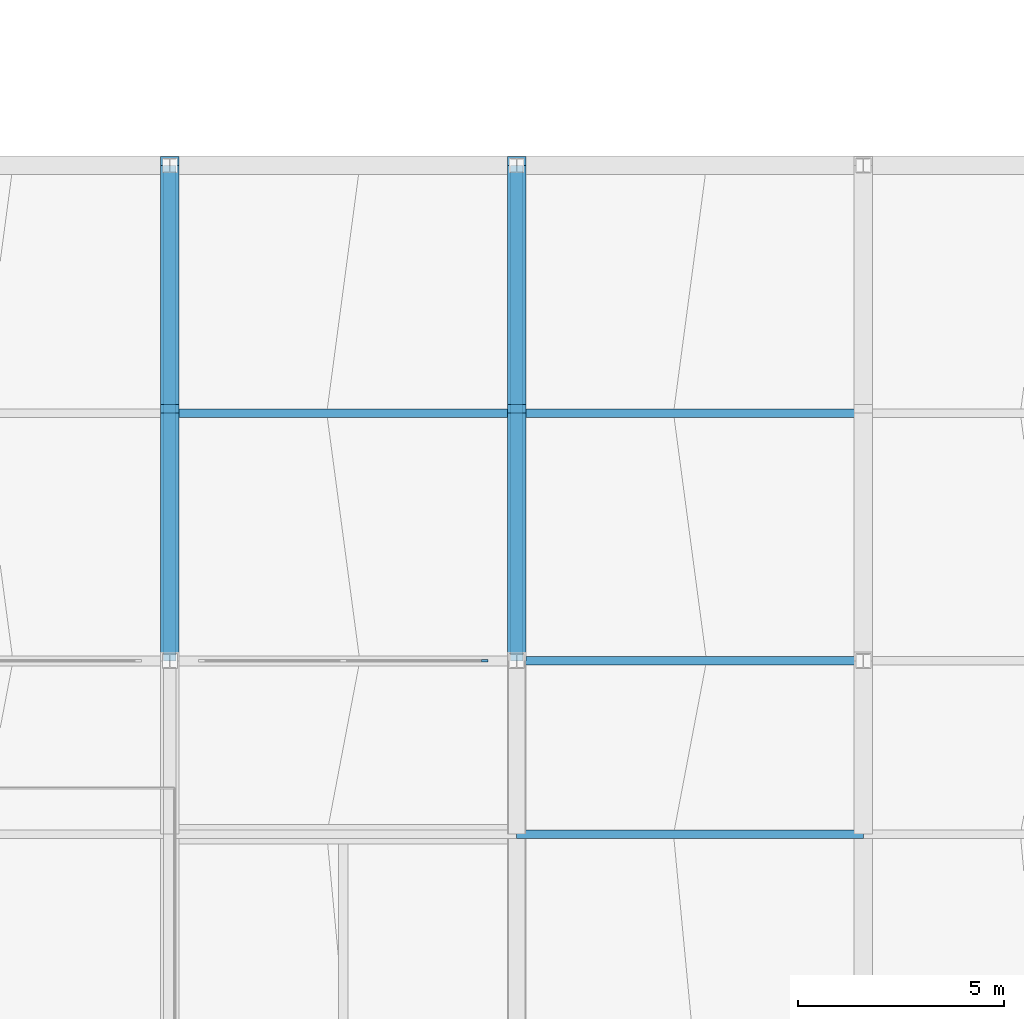
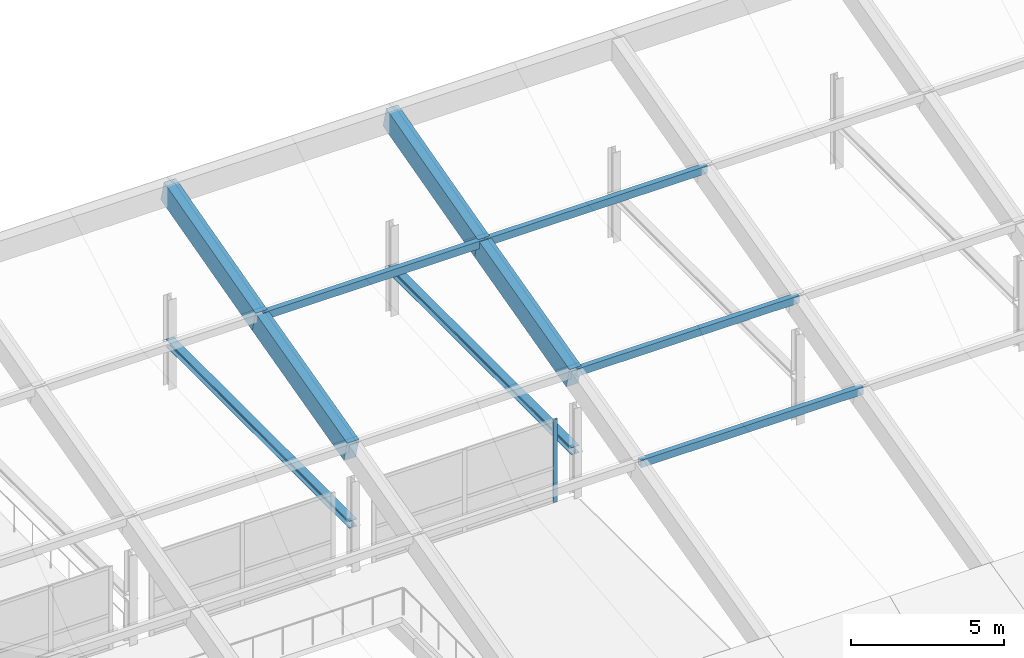
# One storey, part 27 of 51: 7 members, 4 beams, 1 element without a shape of its own.
"""IFC4 building model written with IfcOpenShell, lengths in metres."""

from ifc_helpers import new_model, si_unit, direction, frame, origin, origin_2d, place, context, subcontext, project, spatial, rectangle, hollow_rectangle, i_section, extrude, material, material_profile, profile_set, type_object, element, aggregate, save


model = new_model("IFC4")

# Units and contexts
model_context = context("Model", 3, precision=1e-05, world=origin(), true_north=direction((0.0, 1.0)))
body_context = subcontext(model_context, "Body", "Model", "MODEL_VIEW")
ifc_project = project(units=[si_unit("LENGTHUNIT", "METRE"), si_unit("AREAUNIT", "SQUARE_METRE"), si_unit("VOLUMEUNIT", "CUBIC_METRE"), si_unit("PLANEANGLEUNIT", "RADIAN"), si_unit("MASSUNIT", "GRAM", prefix="KILO")], contexts=[model_context])

# Site, building, storey
site_placement = place(None, origin())
site = spatial("IfcSite", under=ifc_project, at=site_placement, CompositionType="ELEMENT")
building_placement = place(site_placement, origin())
building = spatial("IfcBuilding", under=site, at=building_placement, Name="Vharandega Faculty of Natural Sciences", CompositionType="ELEMENT")
storey_placement = place(building_placement, frame((0.0, 0.0, 18.0)))
storey = spatial("IfcBuildingStorey", under=building, at=storey_placement, Name="L04", CompositionType="ELEMENT", Elevation=18.0)

# Curtain wall, member
ifc_material_1 = material(Name="Aluminium and solar-control glass curtain wall", Category="aluminium")
curtain_wall_type = type_object("IfcCurtainWallType", Name="Unitised Curtain Wall System CW-24", PredefinedType="NOTDEFINED", material=ifc_material_1)
curtain_wall_placement = place(storey_placement, origin())
curtain_wall = element("IfcCurtainWall", 1, at=curtain_wall_placement, inside=storey, type_object=curtain_wall_type, Name="Curtain Wall CW-L04-107", PredefinedType="NOTDEFINED")
ifc_material_2 = material(Name="Thermally broken aluminium 6063-T6", Category="aluminium")
ifc_material_profile_1 = material_profile(ifc_material_2, rectangle(XDim=0.06005859375, YDim=0.159912109375, at=origin_2d()), Name="ALU 60x160")
ifc_profile_set_1 = profile_set([ifc_material_profile_1], Name="Thermally broken aluminium 6063-T6")
member_type_1 = type_object("IfcMemberType", Name="CW Mullion 60x160", PredefinedType="MULLION", material=ifc_profile_set_1)
member_1_placement = place(storey_placement, frame((88.830078125, 85.0, 0.0), z_axis=(0.0, 0.0, 1.0), x_axis=(0.0, 1.0, 0.0)))
member_1 = element("IfcMember", 2, at=member_1_placement, type_object=member_type_1, Name="CW-24 mullion 3", PredefinedType="MULLION", context=body_context, shape_type="SweptSolid", body=[
    extrude(rectangle(XDim=0.06005859375, YDim=0.159912109375, at=origin_2d()), origin(), (0.0, 0.0, 1.0), 3.320068359375),
])
aggregate(curtain_wall, [member_1])

# Beams
ifc_material_3 = material(Name="Concrete C40/50", Category="concrete")
ifc_material_profile_2 = material_profile(ifc_material_3, rectangle(XDim=0.449951171875, YDim=0.85009765625, at=origin_2d()), Name="RC 450x850")
ifc_profile_set_2 = profile_set([ifc_material_profile_2], Name="Concrete C40/50")
beam_type = type_object("IfcBeamType", Name="Shell Arch Rib Beam 450x850", PredefinedType="BEAM", material=ifc_profile_set_2)
beam_1_placement = place(storey_placement, frame((81.199951171875, 85.106201171875, 4.678466796875), z_axis=(0.0, 0.968212411492, 0.250129418968), x_axis=(-1.0, 0.0, 0.0)))
element("IfcBeam", 3, at=beam_1_placement, inside=storey, type_object=beam_type, Name="Conoidal Shell Arch Rib 11-4", PredefinedType="BEAM", context=body_context, shape_type="SweptSolid", body=[
    extrude(rectangle(XDim=0.449951171875, YDim=0.85009765625, at=origin_2d()), origin(), (0.0, 0.0, 1.0), 6.197021484375),
])
beam_2_placement = place(storey_placement, frame((81.199951171875, 91.109619140625, 6.229248046875), z_axis=(0.0, 0.966231024199, 0.25767733287), x_axis=(-1.0, 0.0, 0.0)))
element("IfcBeam", 4, at=beam_2_placement, inside=storey, type_object=beam_type, Name="Conoidal Shell Arch Rib 11-5", PredefinedType="BEAM", context=body_context, shape_type="SweptSolid", body=[
    extrude(rectangle(XDim=0.449951171875, YDim=0.85009765625, at=origin_2d()), origin(), (0.0, 0.0, 1.0), 6.209716796875),
])
beam_3_placement = place(storey_placement, frame((89.60009765625, 85.106201171875, 4.678466796875), z_axis=(0.0, 0.968212411492, 0.250129418968), x_axis=(-1.0, 0.0, 0.0)))
element("IfcBeam", 5, at=beam_3_placement, inside=storey, type_object=beam_type, Name="Conoidal Shell Arch Rib 12-4", PredefinedType="BEAM", context=body_context, shape_type="SweptSolid", body=[
    extrude(rectangle(XDim=0.449951171875, YDim=0.85009765625, at=origin_2d()), origin(), (0.0, 0.0, 1.0), 6.197021484375),
])
beam_4_placement = place(storey_placement, frame((89.60009765625, 91.109619140625, 6.229248046875), z_axis=(0.0, 0.966231024199, 0.25767733287), x_axis=(-1.0, 0.0, 0.0)))
element("IfcBeam", 6, at=beam_4_placement, inside=storey, type_object=beam_type, Name="Conoidal Shell Arch Rib 12-5", PredefinedType="BEAM", context=body_context, shape_type="SweptSolid", body=[
    extrude(rectangle(XDim=0.449951171875, YDim=0.85009765625, at=origin_2d()), origin(), (0.0, 0.0, 1.0), 6.209716796875),
])

# Members
ifc_material_4 = material(Name="Steel S355", Category="steel")
ifc_material_profile_3 = material_profile(ifc_material_4, i_section(OverallWidth=0.300048828125, OverallDepth=0.2900390625, WebThickness=0.008544921875, FlangeThickness=0.013916015625, FilletRadius=0.027099609375, at=origin_2d()), Name="HEA 300")
ifc_profile_set_3 = profile_set([ifc_material_profile_3], Name="Steel S355")
member_type_2 = type_object("IfcMemberType", Name="Shell Arch Tie HEA 300", PredefinedType="CHORD", material=ifc_profile_set_3)
for number, where, z_axis, x_axis, name in (
    (7, (81.199951171875, 85.0, 1.800048828125), (0.0, 1.0, 0.0), (-1.0, 0.0, 0.0), "Conoidal Shell Tie 11"),
    (8, (89.60009765625, 85.0, 1.800048828125), (0.0, 1.0, 0.0), (-1.0, 0.0, 0.0), "Conoidal Shell Tie 12"),
):
    element("IfcMember", number, at=place(storey_placement, frame(where, z_axis=z_axis, x_axis=x_axis)), inside=storey, type_object=member_type_2, Name=name, PredefinedType="CHORD", context=body_context, shape_type="SweptSolid", body=[
        extrude(i_section(OverallWidth=0.300048828125, OverallDepth=0.2900390625, WebThickness=0.008544921875, FlangeThickness=0.013916015625, FilletRadius=0.027099609375, at=origin_2d()), origin(), (0.0, 0.0, 1.0), 12.0),
    ])
ifc_material_5 = material(Name="Steel S355", Category="steel")
ifc_material_profile_4 = material_profile(ifc_material_5, hollow_rectangle(XDim=0.199951171875, YDim=0.300048828125, WallThickness=0.012451171875, at=origin_2d()), Name="RHS 300x200x12.5")
ifc_profile_set_4 = profile_set([ifc_material_profile_4], Name="Steel S355")
member_type_3 = type_object("IfcMemberType", Name="Shell Roof Purlin RHS 300x200", PredefinedType="PURLIN", material=ifc_profile_set_4)
member_2_placement = place(storey_placement, frame((81.199951171875, 91.0, 6.489990234375), z_axis=(1.0, 0.0, 0.0), x_axis=(0.0, 1.0, 0.0)))
element("IfcMember", 9, at=member_2_placement, inside=storey, type_object=member_type_3, Name="Shell Roof Purlin B4-4", PredefinedType="PURLIN", context=body_context, shape_type="SweptSolid", body=[
    extrude(hollow_rectangle(XDim=0.199951171875, YDim=0.300048828125, WallThickness=0.012451171875, at=origin_2d()), origin(), (0.0, 0.0, 1.0), 8.400146484375),
])
for number, where, z_axis, x_axis, name in (
    (10, (89.60009765625, 80.800048828125, 3.840087890625), (1.0, 0.0, 0.0), (0.0, 1.0, 0.0), "Shell Roof Purlin B5-2"),
    (11, (89.60009765625, 85.0, 4.93994140625), (1.0, 0.0, 0.0), (0.0, 1.0, 0.0), "Shell Roof Purlin B5-3"),
    (12, (89.60009765625, 91.0, 6.489990234375), (1.0, 0.0, 0.0), (0.0, 1.0, 0.0), "Shell Roof Purlin B5-4"),
):
    element("IfcMember", number, at=place(storey_placement, frame(where, z_axis=z_axis, x_axis=x_axis)), inside=storey, type_object=member_type_3, Name=name, PredefinedType="PURLIN", context=body_context, shape_type="SweptSolid", body=[
        extrude(hollow_rectangle(XDim=0.199951171875, YDim=0.300048828125, WallThickness=0.012451171875, at=origin_2d()), origin(), (0.0, 0.0, 1.0), 8.39990234375),
    ])

save(model, "model.ifc")
